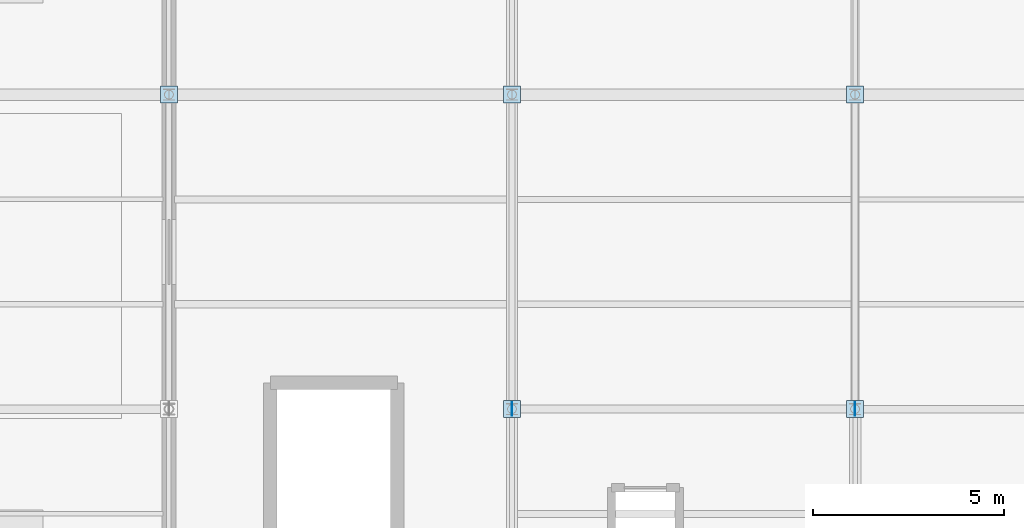
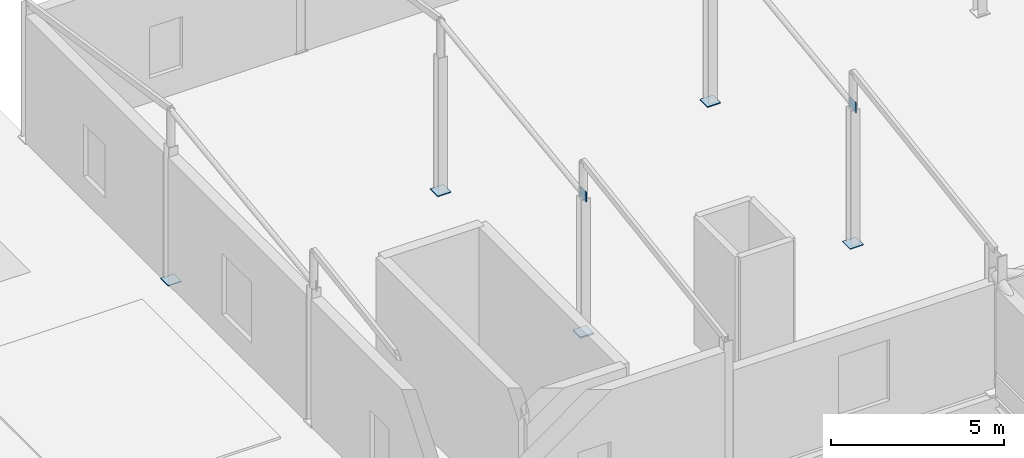
# One storey, part 27 of 54: 7 plates.
"""IFC4 building model written with IfcOpenShell, lengths in metres."""

import ifcopenshell
import ifcopenshell.guid

model = None  # the IFC model being written
_history = None  # IfcOwnerHistory: only IFC2X3 demands one
_inside = {}  # id of a spatial element -> (the spatial element, [elements in it])
_under = {}  # id of a project, library or spatial element -> (it, [spatial elements below it])
_declared = {}  # id of a project -> (the project, [libraries it declares])
_typed = {}  # id of a type object -> (the type object, [elements of that type])
_made_of = {}  # id of a material, layer set ... -> (it, [elements and type objects made of it])


def new_model(schema):
    """Start an empty IFC model of exactly this schema.

    Asked for "IFC4X3", IfcOpenShell would pick the latest addendum, in which some entities
    have other attributes; the version numbers below select the first issue.
    IFC2X3 requires an IfcOwnerHistory on every rooted entity: one is made here for all.
    """
    global model, _history
    if schema == "IFC4X3":
        model = ifcopenshell.file(schema_version=(4, 3, 0, 0))
    else:
        model = ifcopenshell.file(schema=schema)
    _inside.clear()
    _under.clear()
    _declared.clear()
    _typed.clear()
    _made_of.clear()
    _history = None
    if model.schema == "IFC2X3":
        org = make("IfcOrganization", Name="unknown")
        user = make(
            "IfcPersonAndOrganization",
            ThePerson=make("IfcPerson", FamilyName="unknown"),
            TheOrganization=org,
        )
        app = make(
            "IfcApplication",
            ApplicationDeveloper=org,
            Version="unknown",
            ApplicationFullName="unknown",
            ApplicationIdentifier="unknown",
        )
        _history = make(
            "IfcOwnerHistory",
            OwningUser=user,
            OwningApplication=app,
            ChangeAction="ADDED",
            CreationDate=0,
        )
    return model


def make(cls, **values):
    """One entity of the class cls with the attributes given. An attribute that is None is left unset."""
    return model.create_entity(
        cls, **{name: value for name, value in values.items() if value is not None}
    )


def rooted(cls, **values):
    """An entity with a GlobalId (a new one), such as an element, a storey or a relation."""
    return make(cls, GlobalId=ifcopenshell.guid.new(), OwnerHistory=_history, **values)


def si_unit(unit_type, name, prefix=None):
    """IfcSIUnit, for example si_unit("LENGTHUNIT", "METRE", prefix="MILLI")."""
    return make("IfcSIUnit", UnitType=unit_type, Prefix=prefix, Name=name)


def assignment(units):
    """IfcUnitAssignment: the units of a project."""
    return None if units is None else make("IfcUnitAssignment", Units=units)


def point(xyz):
    """IfcCartesianPoint."""
    return None if xyz is None else make("IfcCartesianPoint", Coordinates=xyz)


def direction(xyz):
    """IfcDirection."""
    return None if xyz is None else make("IfcDirection", DirectionRatios=xyz)


def frame(location, z_axis=None, x_axis=None):
    """IfcAxis2Placement3D, a coordinate frame: its origin and axes. An axis left out is left unset."""
    return make(
        "IfcAxis2Placement3D",
        Location=point(location),
        Axis=direction(z_axis),
        RefDirection=direction(x_axis),
    )


def frame_2d(location, x_axis=None):
    """IfcAxis2Placement2D, a coordinate frame in the plane: its origin and x axis."""
    return make(
        "IfcAxis2Placement2D", Location=point(location), RefDirection=direction(x_axis)
    )


def origin():
    """The frame at (0, 0, 0) with its axes left unset."""
    return frame((0.0, 0.0, 0.0))


def origin_2d():
    """The frame at (0, 0) in the plane with its x axis left unset."""
    return frame_2d((0.0, 0.0))


def place(relative_to, where):
    """IfcLocalPlacement: puts the frame where relative to a parent placement (None: the world)."""
    return make(
        "IfcLocalPlacement", PlacementRelTo=relative_to, RelativePlacement=where
    )


def context(
    kind, dimensions, precision=None, world=None, true_north=None, identifier=None
):
    """IfcGeometricRepresentationContext, for example the 3D "Model" context."""
    return make(
        "IfcGeometricRepresentationContext",
        ContextIdentifier=identifier,
        ContextType=kind,
        CoordinateSpaceDimension=dimensions,
        Precision=precision,
        WorldCoordinateSystem=world,
        TrueNorth=true_north,
    )


def subcontext(parent, identifier, kind, view, scale=None):
    """IfcGeometricRepresentationSubContext, for example "Body" below "Model"."""
    return make(
        "IfcGeometricRepresentationSubContext",
        ContextIdentifier=identifier,
        ContextType=kind,
        ParentContext=parent,
        TargetScale=scale,
        TargetView=view,
    )


def project(units=None, contexts=None):
    """IfcProject with its units and contexts."""
    return rooted(
        "IfcProject",
        Name="project",
        RepresentationContexts=contexts,
        UnitsInContext=assignment(units),
    )


def spatial(cls, under=None, at=None, **own):
    """A site, building, storey or space (cls), placed at a placement, below another one or the project."""
    s = rooted(cls, ObjectPlacement=at, **own)
    if under is not None:
        _under.setdefault(under.id(), (under, []))[1].append(s)
    return s


def profile(cls, at=None, kind="AREA", **sizes):
    """A parametric profile (cls). Its sizes go by their IFC names, for example OverallWidth=200.0."""
    return make(cls, ProfileType=kind, Position=at, **sizes)


def rectangle(**sizes):
    """IfcRectangleProfileDef."""
    return profile("IfcRectangleProfileDef", **sizes)


def extrude(swept, where, along, depth):
    """IfcExtrudedAreaSolid: the profile swept, set in the frame where, extruded along a direction by depth."""
    return make(
        "IfcExtrudedAreaSolid",
        SweptArea=swept,
        Position=where,
        ExtrudedDirection=direction(along),
        Depth=depth,
    )


def shape(context_of_items, identifier, shape_type, items):
    """IfcShapeRepresentation: the items that make up one representation, for example the "Body"."""
    return make(
        "IfcShapeRepresentation",
        ContextOfItems=context_of_items,
        RepresentationIdentifier=identifier,
        RepresentationType=shape_type,
        Items=items,
    )


def material(Name=None, Category=None):
    """IfcMaterial."""
    return make("IfcMaterial", Name=Name, Category=Category)


def layer(
    of_material, thickness, ventilated=None, Name=None, Category=None, Priority=None
):
    """IfcMaterialLayer: one layer of a wall or slab, of a material (None: an air gap)."""
    return make(
        "IfcMaterialLayer",
        Material=of_material,
        LayerThickness=thickness,
        IsVentilated=ventilated,
        Name=Name,
        Category=Category,
        Priority=Priority,
    )


def layer_set(layers, Name=None):
    """IfcMaterialLayerSet."""
    return make("IfcMaterialLayerSet", MaterialLayers=layers, LayerSetName=Name)


def made_of(thing, what):
    """Note that an element or type object is made of a material, layer set ...; save() writes the relation."""
    if what is not None:
        _made_of.setdefault(what.id(), (what, []))[1].append(thing)
    return thing


def type_object(cls, material=None, **own):
    """A type object (cls), such as IfcWallType, which elements share."""
    return made_of(rooted(cls, **own), material)


def element(
    cls,
    number,
    at=None,
    inside=None,
    cuts=None,
    type_object=None,
    material=None,
    context=None,
    identifier="Body",
    shape_type=None,
    held_by="IfcProductDefinitionShape",
    body=None,
    shapes=None,
    **own,
):
    """One element of the class cls, such as IfcWall. Its Tag is "e" and its number.

    at: its placement. inside: the storey or other place that contains it. cuts: it is an
    opening in that element (IfcRelVoidsElement). A single representation is given by context,
    identifier, shape_type and body (its items); several are given by shapes. held_by: the class
    of the entity that holds the representations. save() writes the other relations.
    """
    e = rooted(cls, Tag="e%d" % number, ObjectPlacement=at, **own)
    if body is not None:
        shapes = [shape(context, identifier, shape_type, body)]
    if shapes is not None:
        e.Representation = make(held_by, Representations=shapes)
    if inside is not None:
        _inside.setdefault(inside.id(), (inside, []))[1].append(e)
    if cuts is not None:
        rooted(
            "IfcRelVoidsElement", RelatingBuildingElement=cuts, RelatedOpeningElement=e
        )
    if type_object is not None:
        _typed.setdefault(type_object.id(), (type_object, []))[1].append(e)
    return made_of(e, material)


def aggregate(whole, parts):
    """IfcRelAggregates: a whole, such as a stair, and the parts it consists of."""
    return rooted("IfcRelAggregates", RelatingObject=whole, RelatedObjects=parts)


def save(model, path):
    """Write the relations noted so far, then the file.

    IfcRelAggregates (storeys below a building ...), IfcRelContainedInSpatialStructure (elements
    in a storey), IfcRelDefinesByType, IfcRelAssociatesMaterial and IfcRelDeclares: one each for
    every whole, place, type object, material and project.
    """
    for whole, parts in _under.values():
        aggregate(whole, parts)
    for where, things in _inside.values():
        rooted(
            "IfcRelContainedInSpatialStructure",
            RelatedElements=things,
            RelatingStructure=where,
        )
    for kind, things in _typed.values():
        rooted("IfcRelDefinesByType", RelatedObjects=things, RelatingType=kind)
    for what, things in _made_of.values():
        rooted("IfcRelAssociatesMaterial", RelatedObjects=things, RelatingMaterial=what)
    for by, libraries in _declared.values():
        rooted("IfcRelDeclares", RelatingContext=by, RelatedDefinitions=libraries)
    model.write(path)


model = new_model("IFC4")

# Units and contexts
model_context = context("Model", 3, precision=1e-05, world=origin(), true_north=direction((0.0, 1.0)))
body_context = subcontext(model_context, "Body", "Model", "MODEL_VIEW")
ifc_project = project(units=[si_unit("LENGTHUNIT", "METRE"), si_unit("AREAUNIT", "SQUARE_METRE"), si_unit("VOLUMEUNIT", "CUBIC_METRE"), si_unit("PLANEANGLEUNIT", "RADIAN"), si_unit("MASSUNIT", "GRAM", prefix="KILO")], contexts=[model_context])

# Site, building, storey
site_placement = place(None, origin())
site = spatial("IfcSite", under=ifc_project, at=site_placement, CompositionType="ELEMENT")
building_placement = place(site_placement, origin())
building = spatial("IfcBuilding", under=site, at=building_placement, Name="Sundgate Opera House", CompositionType="ELEMENT")
storey_placement = place(building_placement, frame((0.0, 0.0, 16.800048828125)))
storey = spatial("IfcBuildingStorey", under=building, at=storey_placement, Name="L03", CompositionType="ELEMENT", Elevation=16.800048828125)

# Plates
ifc_material_1 = material(Name="Steel S355J2", Category="steel")
ifc_layer_1 = layer(ifc_material_1, 0.02587890625)
ifc_layer_set_1 = layer_set([ifc_layer_1], Name="Steel S355J2")
plate_type_1 = type_object("IfcPlateType", Name="PT-BAS-26", PredefinedType="USERDEFINED", material=ifc_layer_set_1)
for number, where, z_axis, x_axis, name in (
    (1, (9.0, 103.5, 0.0), (0.0, 0.0, 1.0), (1.0, 0.0, 0.0), "L03 Base Plate PT0003"),
    (2, (27.0, 95.25, 0.0), (0.0, 0.0, 1.0), (1.0, 0.0, 0.0), "L03 Base Plate PT0041"),
):
    element("IfcPlate", number, at=place(storey_placement, frame(where, z_axis=z_axis, x_axis=x_axis)), inside=storey, type_object=plate_type_1, Name=name, ObjectType="BASE PLATE", PredefinedType="USERDEFINED", context=body_context, shape_type="SweptSolid", body=[
        extrude(rectangle(XDim=0.43994140625, YDim=0.43994140625, at=origin_2d()), origin(), (0.0, 0.0, 1.0), 0.02587890625),
    ])
ifc_material_2 = material(Name="Steel S355J2", Category="steel")
ifc_layer_2 = layer(ifc_material_2, 0.030029296875)
ifc_layer_set_2 = layer_set([ifc_layer_2], Name="Steel S355J2")
plate_type_2 = type_object("IfcPlateType", Name="PT-BAS-30", PredefinedType="USERDEFINED", material=ifc_layer_set_2)
plate_1_placement = place(storey_placement, frame((18.0, 103.5, 0.0), z_axis=(0.0, 0.0, 1.0), x_axis=(1.0, 0.0, 0.0)))
element("IfcPlate", 3, at=plate_1_placement, inside=storey, type_object=plate_type_2, Name="L03 Base Plate PT0007", ObjectType="BASE PLATE", PredefinedType="USERDEFINED", context=body_context, shape_type="SweptSolid", body=[
    extrude(rectangle(XDim=0.43994140625, YDim=0.43994140625, at=origin_2d()), origin(), (0.0, 0.0, 1.0), 0.030029296875),
])
ifc_material_3 = material(Name="Steel S355J2", Category="steel")
ifc_layer_3 = layer(ifc_material_3, 0.033935546875)
ifc_layer_set_3 = layer_set([ifc_layer_3], Name="Steel S355J2")
plate_type_3 = type_object("IfcPlateType", Name="PT-BAS-34", PredefinedType="USERDEFINED", material=ifc_layer_set_3)
plate_2_placement = place(storey_placement, frame((27.0, 103.5, 0.0), z_axis=(0.0, 0.0, 1.0), x_axis=(1.0, 0.0, 0.0)))
element("IfcPlate", 4, at=plate_2_placement, inside=storey, type_object=plate_type_3, Name="L03 Base Plate PT0042", ObjectType="BASE PLATE", PredefinedType="USERDEFINED", context=body_context, shape_type="SweptSolid", body=[
    extrude(rectangle(XDim=0.43994140625, YDim=0.43994140625, at=origin_2d()), origin(), (0.0, 0.0, 1.0), 0.033935546875),
])
ifc_material_4 = material(Name="Steel S355J2", Category="steel")
ifc_layer_4 = layer(ifc_material_4, 0.055908203125)
ifc_layer_set_4 = layer_set([ifc_layer_4], Name="Steel S355J2")
plate_type_4 = type_object("IfcPlateType", Name="PT-BAS-56", PredefinedType="USERDEFINED", material=ifc_layer_set_4)
plate_3_placement = place(storey_placement, frame((18.0, 95.25, 0.0), z_axis=(0.0, 0.0, 1.0), x_axis=(1.0, 0.0, 0.0)))
element("IfcPlate", 5, at=plate_3_placement, inside=storey, type_object=plate_type_4, Name="L03 Base Plate PT0006", ObjectType="BASE PLATE", PredefinedType="USERDEFINED", context=body_context, shape_type="SweptSolid", body=[
    extrude(rectangle(XDim=0.43994140625, YDim=0.43994140625, at=origin_2d()), origin(), (0.0, 0.0, 1.0), 0.055908203125),
])
ifc_material_5 = material(Name="Steel S355J2", Category="steel")
ifc_layer_5 = layer(ifc_material_5, 0.02001953125)
ifc_layer_set_5 = layer_set([ifc_layer_5], Name="Steel S355J2")
plate_type_5 = type_object("IfcPlateType", Name="PT-GUS-20", PredefinedType="USERDEFINED", material=ifc_layer_set_5)
for number, where, z_axis, x_axis, name in (
    (6, (18.0, 95.25, 4.7197265625), (0.0, 0.0, 1.0), (1.0, 0.0, 0.0), "L03 Atelier Brace Base Gusset"),
    (7, (27.0, 95.25, 4.7197265625), (0.0, 0.0, 1.0), (1.0, 0.0, 0.0), "L03 Atelier Brace Base Gusset"),
):
    element("IfcPlate", number, at=place(storey_placement, frame(where, z_axis=z_axis, x_axis=x_axis)), inside=storey, type_object=plate_type_5, Name=name, ObjectType="GUSSET PLATE", PredefinedType="USERDEFINED", context=body_context, shape_type="SweptSolid", body=[
        extrude(rectangle(XDim=0.02001953125, YDim=0.360107421875, at=origin_2d()), origin(), (0.0, 0.0, 1.0), 0.360107421875),
    ])

save(model, "model.ifc")
